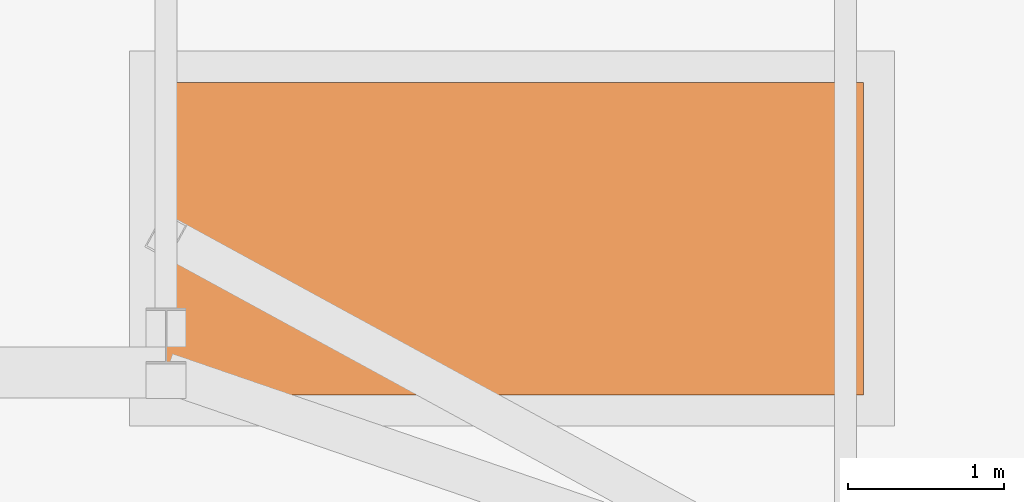
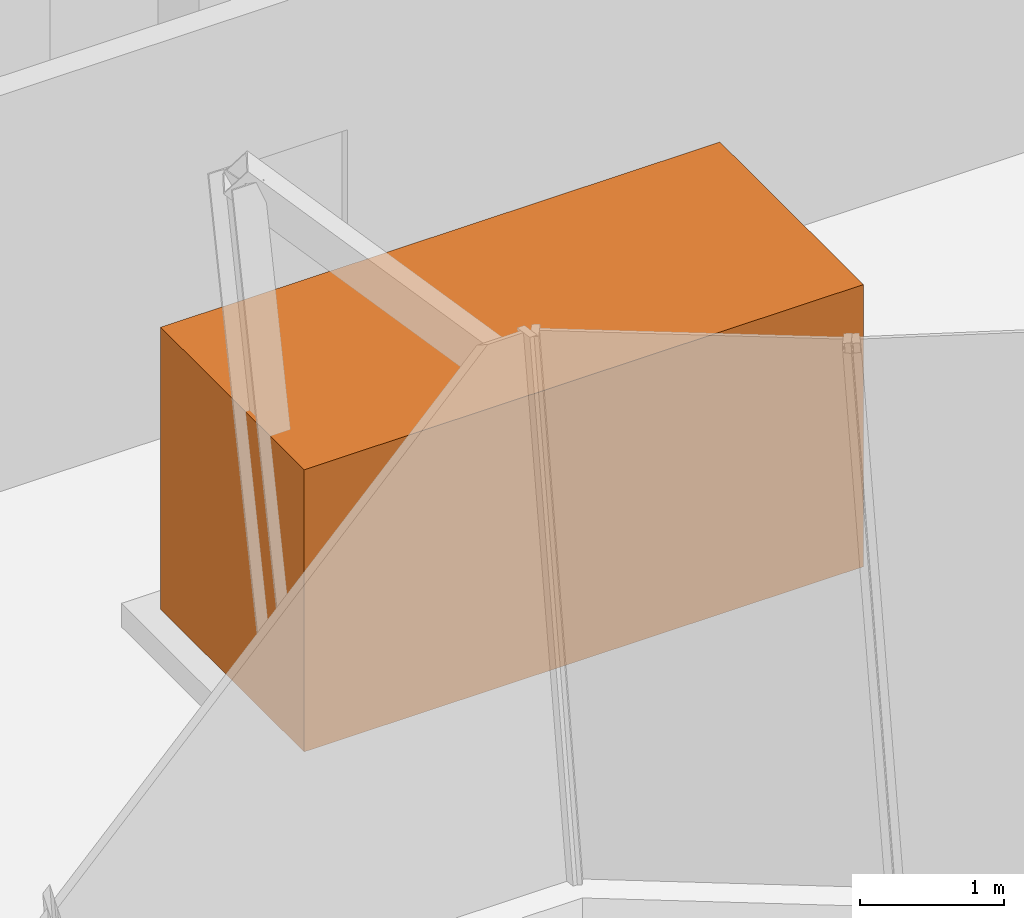
# One storey, part 7 of 7: 1 proxy.
"""IFC4 building model written with IfcOpenShell, lengths in metres."""

from ifc_helpers import new_model, si_unit, direction, frame, origin, origin_2d, place, context, subcontext, project, spatial, rectangle, extrude, element, save


model = new_model("IFC4")

# Units and contexts
model_context = context("Model", 3, precision=1e-05, world=origin(), true_north=direction((0.0, 1.0)))
body_context = subcontext(model_context, "Body", "Model", "MODEL_VIEW")
ifc_project = project(units=[si_unit("LENGTHUNIT", "METRE"), si_unit("AREAUNIT", "SQUARE_METRE"), si_unit("VOLUMEUNIT", "CUBIC_METRE"), si_unit("PLANEANGLEUNIT", "RADIAN"), si_unit("MASSUNIT", "GRAM", prefix="KILO")], contexts=[model_context])

# Site, building, storey
site_placement = place(None, origin())
site = spatial("IfcSite", under=ifc_project, at=site_placement, CompositionType="ELEMENT")
building_placement = place(site_placement, origin())
building = spatial("IfcBuilding", under=site, at=building_placement, Name="Bicima Exchange Tower", CompositionType="ELEMENT")
storey_placement = place(building_placement, frame((0.0, 0.0, 361.39990234375)))
storey = spatial("IfcBuildingStorey", under=building, at=storey_placement, Name="L81", CompositionType="ELEMENT", Elevation=361.39990234375)

# Proxy
proxy_placement = place(storey_placement, frame((-15.18505859375, -18.544921875, 0.2001953125), z_axis=(0.0, 0.0, 1.0), x_axis=(1.0, 0.0, 0.0)))
element("IfcBuildingElementProxy", 1, at=proxy_placement, inside=storey, Name="Generator set L81", ObjectType="Generator set", PredefinedType="USERDEFINED", context=body_context, shape_type="SweptSolid", body=[
    extrude(rectangle(XDim=4.5, YDim=2.0, at=origin_2d()), origin(), (0.0, 0.0, 1.0), 2.39990234375),
])

save(model, "model.ifc")
